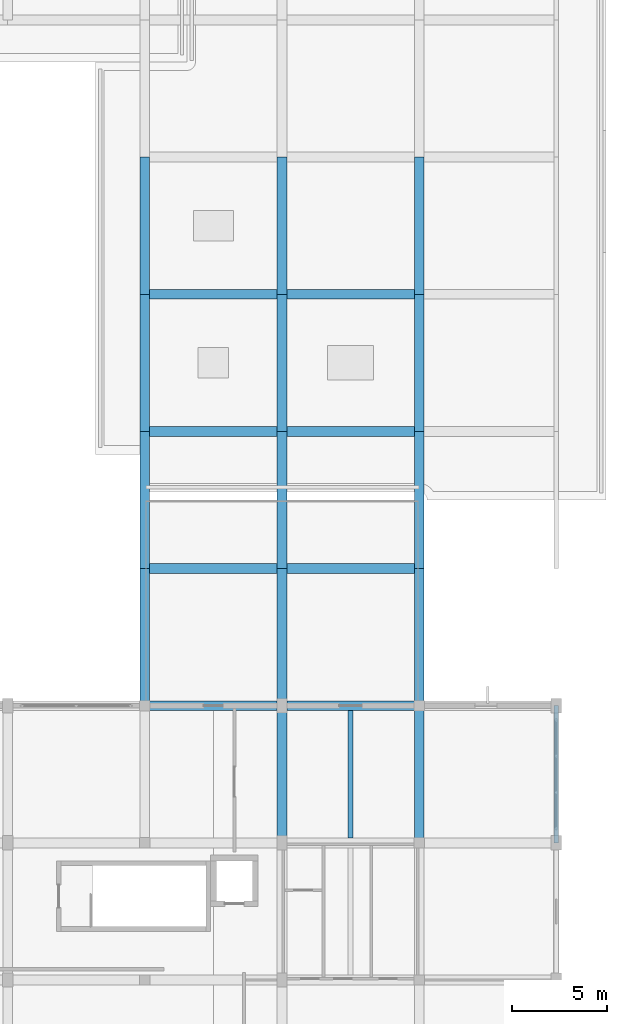
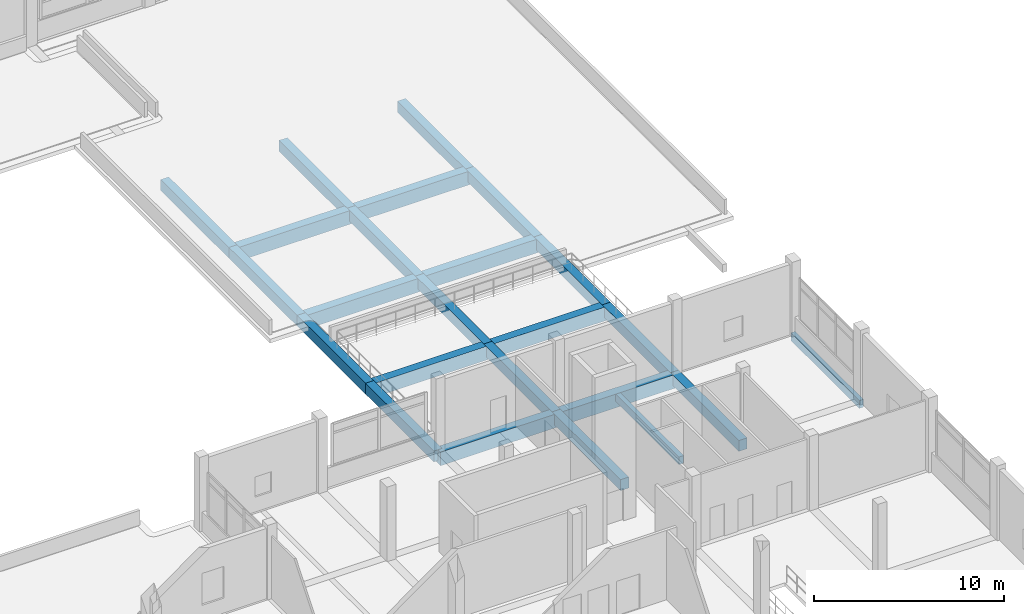
# One storey, part 92 of 140: 24 beams.
"""IFC4 building model written with IfcOpenShell, lengths in metres."""

from ifc_helpers import new_model, si_unit, direction, frame, origin, origin_2d, place, context, subcontext, project, spatial, rectangle, extrude, material, material_profile, profile_set, type_object, element, save


model = new_model("IFC4")

# Units and contexts
model_context = context("Model", 3, precision=1e-05, world=origin(), true_north=direction((0.0, 1.0)))
body_context = subcontext(model_context, "Body", "Model", "MODEL_VIEW")
ifc_project = project(units=[si_unit("LENGTHUNIT", "METRE"), si_unit("AREAUNIT", "SQUARE_METRE"), si_unit("VOLUMEUNIT", "CUBIC_METRE"), si_unit("PLANEANGLEUNIT", "RADIAN"), si_unit("MASSUNIT", "GRAM", prefix="KILO")], contexts=[model_context])

# Site, building, storey
site_placement = place(None, origin())
site = spatial("IfcSite", under=ifc_project, at=site_placement, CompositionType="ELEMENT")
building_placement = place(site_placement, origin())
building = spatial("IfcBuilding", under=site, at=building_placement, Name="Seraya Terrace Polytechnic", CompositionType="ELEMENT")
storey_placement = place(building_placement, frame((0.0, 0.0, 9.60009765625)))
storey = spatial("IfcBuildingStorey", under=building, at=storey_placement, Name="L02", CompositionType="ELEMENT", Elevation=9.60009765625)

# Beams
ifc_material = material(Name="Concrete C40/50", Category="concrete")
ifc_material_profile_1 = material_profile(ifc_material, rectangle(XDim=0.52001953125, YDim=0.8798828125, at=origin_2d()), Name="RC 520x880")
ifc_profile_set_1 = profile_set([ifc_material_profile_1], Name="Concrete C40/50")
beam_type_1 = type_object("IfcBeamType", Name="BM-04", PredefinedType="BEAM", material=ifc_profile_set_1)
for number, where, z_axis, x_axis, name in (
    (1, (144.0, 36.0, -0.440185546875), (1.0, 0.0, 0.0), (0.0, 1.0, 0.0), "Beam BM-04 L02 X (144.0..151.2, 36.0)"),
    (2, (151.199951171875, 36.0, -0.440185546875), (1.0, 0.0, 0.0), (0.0, 1.0, 0.0), "Beam BM-04 L02 X (151.2..158.4, 36.0)"),
    (3, (144.0, 43.199951171875, -0.440185546875), (1.0, 0.0, 0.0), (0.0, 1.0, 0.0), "Beam BM-04 L02 X (144.0..151.2, 43.2)"),
    (4, (151.199951171875, 43.199951171875, -0.440185546875), (1.0, 0.0, 0.0), (0.0, 1.0, 0.0), "Beam BM-04 L02 X (151.2..158.4, 43.2)"),
    (5, (144.0, 50.39990234375, -0.440185546875), (1.0, 0.0, 0.0), (0.0, 1.0, 0.0), "Beam BM-04 L02 X (144.0..151.2, 50.4)"),
    (6, (151.199951171875, 50.39990234375, -0.440185546875), (1.0, 0.0, 0.0), (0.0, 1.0, 0.0), "Beam BM-04 L02 X (151.2..158.4, 50.4)"),
    (7, (144.0, 57.60009765625, -0.440185546875), (1.0, 0.0, 0.0), (0.0, 1.0, 0.0), "Beam BM-04 L02 X (144.0..151.2, 57.6)"),
    (8, (151.199951171875, 57.60009765625, -0.440185546875), (1.0, 0.0, 0.0), (0.0, 1.0, 0.0), "Beam BM-04 L02 X (151.2..158.4, 57.6)"),
):
    element("IfcBeam", number, at=place(storey_placement, frame(where, z_axis=z_axis, x_axis=x_axis)), inside=storey, type_object=beam_type_1, Name=name, PredefinedType="BEAM", context=body_context, shape_type="SweptSolid", body=[
        extrude(rectangle(XDim=0.52001953125, YDim=0.8798828125, at=origin_2d()), origin(), (0.0, 0.0, 1.0), 7.199951171875),
    ])
ifc_material_profile_2 = material_profile(ifc_material, rectangle(XDim=0.5, YDim=0.699951171875, at=origin_2d()), Name="RC 500x700")
ifc_profile_set_2 = profile_set([ifc_material_profile_2], Name="Concrete C40/50")
beam_type_2 = type_object("IfcBeamType", Name="BM-07", PredefinedType="BEAM", material=ifc_profile_set_2)
for number, where, z_axis, x_axis, name in (
    (9, (144.0, 36.0, -0.35009765625), (0.0, 1.0, 0.0), (-1.0, 0.0, 0.0), "Beam BM-07 L02 Y (144.0, 36.0..43.2)"),
    (10, (144.0, 43.199951171875, -0.35009765625), (0.0, 1.0, 0.0), (-1.0, 0.0, 0.0), "Beam BM-07 L02 Y (144.0, 43.2..50.4)"),
):
    element("IfcBeam", number, at=place(storey_placement, frame(where, z_axis=z_axis, x_axis=x_axis)), inside=storey, type_object=beam_type_2, Name=name, PredefinedType="BEAM", context=body_context, shape_type="SweptSolid", body=[
        extrude(rectangle(XDim=0.5, YDim=0.699951171875, at=origin_2d()), origin(), (0.0, 0.0, 1.0), 7.199951171875),
    ])
beam_1_placement = place(storey_placement, frame((144.0, 50.39990234375, -0.35009765625), z_axis=(0.0, 1.0, 0.0), x_axis=(-1.0, 0.0, 0.0)))
element("IfcBeam", 11, at=beam_1_placement, inside=storey, type_object=beam_type_2, Name="Beam BM-07 L02 Y (144.0, 50.4..57.6)", PredefinedType="BEAM", context=body_context, shape_type="SweptSolid", body=[
    extrude(rectangle(XDim=0.5, YDim=0.699951171875, at=origin_2d()), origin(), (0.0, 0.0, 1.0), 7.2001953125),
])
for number, where, z_axis, x_axis, name in (
    (12, (144.0, 57.60009765625, -0.35009765625), (0.0, 1.0, 0.0), (-1.0, 0.0, 0.0), "Beam BM-07 L02 Y (144.0, 57.6..64.8)"),
    (13, (151.199951171875, 28.800048828125, -0.35009765625), (0.0, 1.0, 0.0), (-1.0, 0.0, 0.0), "Beam BM-07 L02 Y (151.2, 28.8..36.0)"),
    (14, (151.199951171875, 36.0, -0.35009765625), (0.0, 1.0, 0.0), (-1.0, 0.0, 0.0), "Beam BM-07 L02 Y (151.2, 36.0..43.2)"),
    (15, (151.199951171875, 43.199951171875, -0.35009765625), (0.0, 1.0, 0.0), (-1.0, 0.0, 0.0), "Beam BM-07 L02 Y (151.2, 43.2..50.4)"),
):
    element("IfcBeam", number, at=place(storey_placement, frame(where, z_axis=z_axis, x_axis=x_axis)), inside=storey, type_object=beam_type_2, Name=name, PredefinedType="BEAM", context=body_context, shape_type="SweptSolid", body=[
        extrude(rectangle(XDim=0.5, YDim=0.699951171875, at=origin_2d()), origin(), (0.0, 0.0, 1.0), 7.199951171875),
    ])
beam_2_placement = place(storey_placement, frame((151.199951171875, 50.39990234375, -0.35009765625), z_axis=(0.0, 1.0, 0.0), x_axis=(-1.0, 0.0, 0.0)))
element("IfcBeam", 16, at=beam_2_placement, inside=storey, type_object=beam_type_2, Name="Beam BM-07 L02 Y (151.2, 50.4..57.6)", PredefinedType="BEAM", context=body_context, shape_type="SweptSolid", body=[
    extrude(rectangle(XDim=0.5, YDim=0.699951171875, at=origin_2d()), origin(), (0.0, 0.0, 1.0), 7.2001953125),
])
for number, where, z_axis, x_axis, name in (
    (17, (151.199951171875, 57.60009765625, -0.35009765625), (0.0, 1.0, 0.0), (-1.0, 0.0, 0.0), "Beam BM-07 L02 Y (151.2, 57.6..64.8)"),
    (18, (158.39990234375, 28.800048828125, -0.35009765625), (0.0, 1.0, 0.0), (-1.0, 0.0, 0.0), "Beam BM-07 L02 Y (158.4, 28.8..36.0)"),
    (19, (158.39990234375, 36.0, -0.35009765625), (0.0, 1.0, 0.0), (-1.0, 0.0, 0.0), "Beam BM-07 L02 Y (158.4, 36.0..43.2)"),
    (20, (158.39990234375, 43.199951171875, -0.35009765625), (0.0, 1.0, 0.0), (-1.0, 0.0, 0.0), "Beam BM-07 L02 Y (158.4, 43.2..50.4)"),
):
    element("IfcBeam", number, at=place(storey_placement, frame(where, z_axis=z_axis, x_axis=x_axis)), inside=storey, type_object=beam_type_2, Name=name, PredefinedType="BEAM", context=body_context, shape_type="SweptSolid", body=[
        extrude(rectangle(XDim=0.5, YDim=0.699951171875, at=origin_2d()), origin(), (0.0, 0.0, 1.0), 7.199951171875),
    ])
beam_3_placement = place(storey_placement, frame((158.39990234375, 50.39990234375, -0.35009765625), z_axis=(0.0, 1.0, 0.0), x_axis=(-1.0, 0.0, 0.0)))
element("IfcBeam", 21, at=beam_3_placement, inside=storey, type_object=beam_type_2, Name="Beam BM-07 L02 Y (158.4, 50.4..57.6)", PredefinedType="BEAM", context=body_context, shape_type="SweptSolid", body=[
    extrude(rectangle(XDim=0.5, YDim=0.699951171875, at=origin_2d()), origin(), (0.0, 0.0, 1.0), 7.2001953125),
])
beam_4_placement = place(storey_placement, frame((158.39990234375, 57.60009765625, -0.35009765625), z_axis=(0.0, 1.0, 0.0), x_axis=(-1.0, 0.0, 0.0)))
element("IfcBeam", 22, at=beam_4_placement, inside=storey, type_object=beam_type_2, Name="Beam BM-07 L02 Y (158.4, 57.6..64.8)", PredefinedType="BEAM", context=body_context, shape_type="SweptSolid", body=[
    extrude(rectangle(XDim=0.5, YDim=0.699951171875, at=origin_2d()), origin(), (0.0, 0.0, 1.0), 7.199951171875),
])
ifc_material_profile_3 = material_profile(ifc_material, rectangle(XDim=0.280029296875, YDim=0.47998046875, at=origin_2d()), Name="RC 280x480")
ifc_profile_set_3 = profile_set([ifc_material_profile_3], Name="Concrete C40/50")
beam_type_3 = type_object("IfcBeamType", Name="JS-07", PredefinedType="JOIST", material=ifc_profile_set_3)
beam_5_placement = place(storey_placement, frame((154.800048828125, 29.06005859375, -0.239990234375), z_axis=(0.0, 1.0, 0.0), x_axis=(-1.0, 0.0, 0.0)))
element("IfcBeam", 23, at=beam_5_placement, inside=storey, type_object=beam_type_3, Name="Secondary joist JS-07 L02", PredefinedType="JOIST", context=body_context, shape_type="SweptSolid", body=[
    extrude(rectangle(XDim=0.280029296875, YDim=0.47998046875, at=origin_2d()), origin(), (0.0, 0.0, 1.0), 6.679931640625),
])
ifc_material_profile_4 = material_profile(ifc_material, rectangle(XDim=0.25, YDim=0.5, at=origin_2d()), Name="RC 250x500")
ifc_profile_set_4 = profile_set([ifc_material_profile_4], Name="Concrete C40/50")
beam_type_4 = type_object("IfcBeamType", Name="SP-03", PredefinedType="SPANDREL", material=ifc_profile_set_4)
beam_6_placement = place(storey_placement, frame((165.60009765625, 28.800048828125, -0.25), z_axis=(0.0, 1.0, 0.0), x_axis=(-1.0, 0.0, 0.0)))
element("IfcBeam", 24, at=beam_6_placement, inside=storey, type_object=beam_type_4, Name="Beam SP-03 L02 Y (165.6, 28.8..36.0)", PredefinedType="SPANDREL", context=body_context, shape_type="SweptSolid", body=[
    extrude(rectangle(XDim=0.25, YDim=0.5, at=origin_2d()), origin(), (0.0, 0.0, 1.0), 7.199951171875),
])

save(model, "model.ifc")
